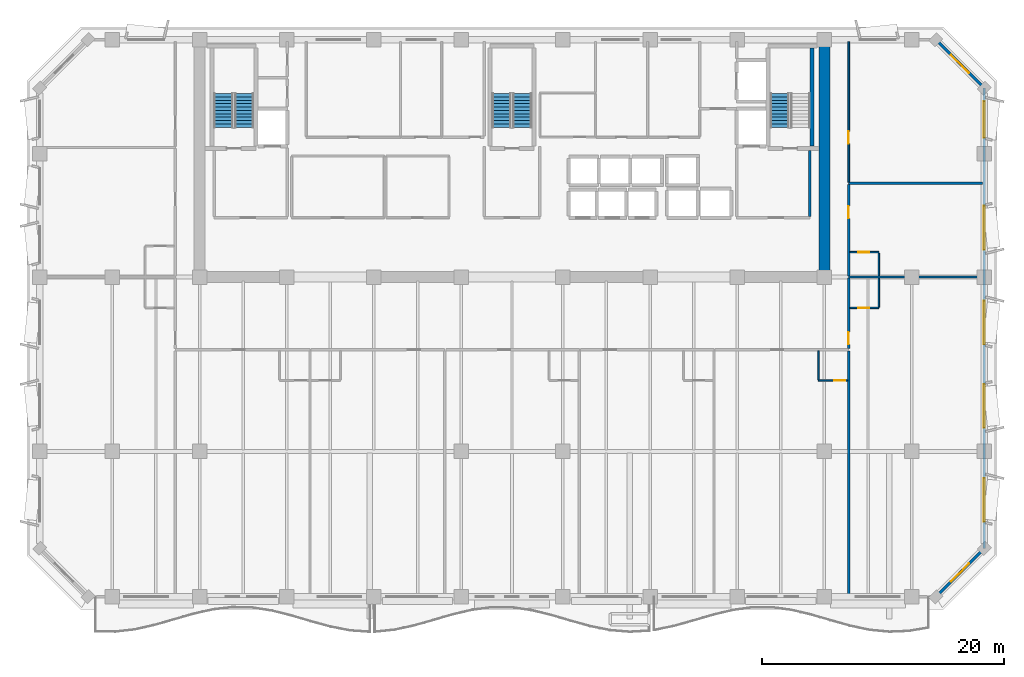
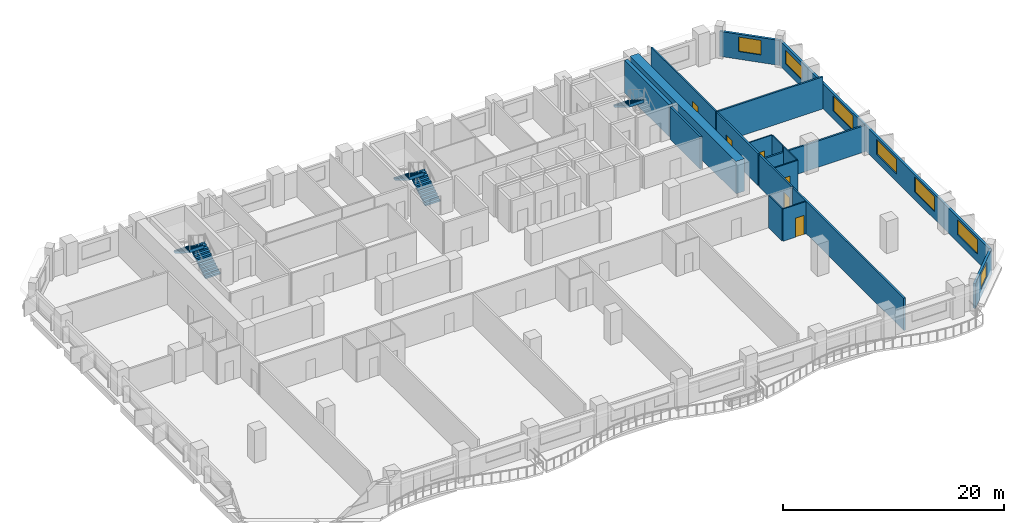
# One storey, part 8 of 14: 18 walls, 7 windows, 6 doors, 5 stair flights, 13 openings, 3 elements without a shape of their own.
"""IFC4 building model written with IfcOpenShell, lengths in metres."""

from ifc_helpers import new_model, si_unit, direction, frame, frame_2d, origin, place, context, subcontext, project, spatial, polyline, rectangle, outline, extrude, material, layer, layer_set, type_object, element, fill, aggregate, save


model = new_model("IFC4")

# Units and contexts
model_context = context("Model", 3, precision=1e-05, world=origin(), true_north=direction((0.0, 1.0)))
body_context = subcontext(model_context, "Body", "Model", "MODEL_VIEW")
ifc_project = project(units=[si_unit("LENGTHUNIT", "METRE"), si_unit("AREAUNIT", "SQUARE_METRE"), si_unit("VOLUMEUNIT", "CUBIC_METRE"), si_unit("PLANEANGLEUNIT", "RADIAN"), si_unit("MASSUNIT", "GRAM", prefix="KILO")], contexts=[model_context])

# Site, building, storey
site_placement = place(None, origin())
site = spatial("IfcSite", under=ifc_project, at=site_placement, CompositionType="ELEMENT")
building_placement = place(site_placement, origin())
building = spatial("IfcBuilding", under=site, at=building_placement, Name="Kaelvorn Grand Hotel", CompositionType="ELEMENT")
storey_placement = place(building_placement, frame((0.0, 0.0, 205.35009765625)))
storey = spatial("IfcBuildingStorey", under=building, at=storey_placement, Name="L50", CompositionType="ELEMENT", Elevation=205.35009765625)

# Wall
ifc_material_1 = material(Name="Concrete C60/75", Category="concrete")
ifc_layer_1 = layer(ifc_material_1, 0.89990234375)
ifc_layer_set_1 = layer_set([ifc_layer_1], Name="Concrete C60/75")
wall_type_1 = type_object("IfcWallType", Name="WL-CORE-900-C60", PredefinedType="SHEAR", material=ifc_layer_set_1)
wall_1_placement = place(storey_placement, frame((67.800048828125, 29.39990234375, 0.0), z_axis=(0.0, 0.0, 1.0), x_axis=(0.0, 1.0, 0.0)))
element("IfcWall", 1, at=wall_1_placement, inside=storey, type_object=wall_type_1, Name="L50 Rear-Core East Shear Wall", PredefinedType="SHEAR", context=body_context, shape_type="SweptSolid", body=[
    extrude(rectangle(XDim=19.2001953125, YDim=0.89990234375, at=frame_2d((9.60009765625, 0.0))), origin(), (0.0, 0.0, 1.0), 3.559814453125),
])

# Wall, opening, window
ifc_material_2 = material(Name="Concrete C40/50", Category="concrete")
ifc_layer_2 = layer(ifc_material_2, 0.239990234375)
ifc_layer_set_2 = layer_set([ifc_layer_2], Name="Concrete C40/50")
wall_type_2 = type_object("IfcWallType", Name="WL-EXT-240-C40", PredefinedType="SOLIDWALL", material=ifc_layer_set_2)
wall_2_placement = place(storey_placement, frame((77.0, 3.0, 0.0), z_axis=(0.0, 0.0, 1.0), x_axis=(0.707106781187, 0.707106781187, 0.0)))
wall_2 = element("IfcWall", 2, at=wall_2_placement, inside=storey, type_object=wall_type_2, Name="L50 Exterior Architectural Concrete Wall 02", PredefinedType="SOLIDWALL", context=body_context, shape_type="SweptSolid", body=[
    extrude(rectangle(XDim=5.65673828125, YDim=0.239990234375, at=frame_2d((2.828369140625, 0.0))), origin(), (0.0, 0.0, 1.0), 2.760009765625),
])
opening_1_placement = place(wall_2_placement, frame((1.7783203125, 0.0, 0.85009765625)))
opening_1 = element("IfcOpeningElement", 3, at=opening_1_placement, cuts=wall_2, Name="Opening W7", PredefinedType="OPENING", context=body_context, shape_type="SweptSolid", body=[
    extrude(rectangle(XDim=2.10009765625, YDim=1.60009765625, at=frame_2d((1.050048828125, 0.800048828125))), frame((0.0, 0.1298828125, 0.0), z_axis=(0.0, -1.0, 0.0), x_axis=(1.0, 0.0, 0.0)), (0.0, 0.0, 1.0), 0.260009765625),
])
ifc_material_3 = material(Name="Laminated Low-E Glass", Category="glass")
window_type_1 = type_object("IfcWindowType", Name="WIN-CHM-2100x1600", PartitioningType="SINGLE_PANEL", PredefinedType="WINDOW", material=ifc_material_3)
window_1_placement = place(opening_1_placement, origin())
window_1 = element("IfcWindow", 4, at=window_1_placement, inside=storey, type_object=window_type_1, Name="L50 Chamfered 45-Degree Corner Window SE", OverallHeight=1.60009765625, OverallWidth=2.10009765625, PartitioningType="SINGLE_PANEL", PredefinedType="WINDOW", context=body_context, shape_type="SweptSolid", body=[
    extrude(rectangle(XDim=2.10009765625, YDim=1.60009765625, at=frame_2d((1.050048828125, 0.800048828125))), frame((0.0, 0.030029296875, 0.0), z_axis=(0.0, -1.0, 0.0), x_axis=(1.0, 0.0, 0.0)), (0.0, 0.0, 1.0), 0.06005859375),
])
fill(opening_1, window_1)

# Wall, openings, windows
wall_3_placement = place(storey_placement, frame((81.0, 7.0, 0.0), z_axis=(0.0, 0.0, 1.0), x_axis=(0.0, 1.0, 0.0)))
wall_3 = element("IfcWall", 5, at=wall_3_placement, inside=storey, type_object=wall_type_2, Name="L50 Exterior Architectural Concrete Wall 03", PredefinedType="SOLIDWALL", context=body_context, shape_type="SweptSolid", body=[
    extrude(rectangle(XDim=38.0, YDim=0.239990234375, at=frame_2d((19.0, 0.0))), origin(), (0.0, 0.0, 1.0), 2.760009765625),
])
opening_2_placement = place(wall_3_placement, frame((2.199951171875, 0.0, 0.85009765625)))
opening_2 = element("IfcOpeningElement", 6, at=opening_2_placement, cuts=wall_3, Name="Opening W3", PredefinedType="OPENING", context=body_context, shape_type="SweptSolid", body=[
    extrude(rectangle(XDim=3.60009765625, YDim=1.64990234375, at=frame_2d((1.800048828125, 0.824951171875))), frame((0.0, 0.1298828125, 0.0), z_axis=(0.0, -1.0, 0.0), x_axis=(1.0, 0.0, 0.0)), (0.0, 0.0, 1.0), 0.260009765625),
])
opening_3_placement = place(wall_3_placement, frame((9.965087890625, 0.0, 0.85009765625)))
opening_3 = element("IfcOpeningElement", 7, at=opening_3_placement, cuts=wall_3, Name="Opening W3", PredefinedType="OPENING", context=body_context, shape_type="SweptSolid", body=[
    extrude(rectangle(XDim=3.60009765625, YDim=1.64990234375, at=frame_2d((1.800048828125, 0.824951171875))), frame((0.0, 0.1298828125, 0.0), z_axis=(0.0, -1.0, 0.0), x_axis=(1.0, 0.0, 0.0)), (0.0, 0.0, 1.0), 0.260009765625),
])
opening_4_placement = place(wall_3_placement, frame((16.8349609375, 0.0, 0.85009765625)))
opening_4 = element("IfcOpeningElement", 8, at=opening_4_placement, cuts=wall_3, Name="Opening W3", PredefinedType="OPENING", context=body_context, shape_type="SweptSolid", body=[
    extrude(rectangle(XDim=3.60009765625, YDim=1.64990234375, at=frame_2d((1.800048828125, 0.824951171875))), frame((0.0, 0.1298828125, 0.0), z_axis=(0.0, -1.0, 0.0), x_axis=(1.0, 0.0, 0.0)), (0.0, 0.0, 1.0), 0.260009765625),
])
opening_5_placement = place(wall_3_placement, frame((24.675048828125, 0.0, 0.85009765625)))
opening_5 = element("IfcOpeningElement", 9, at=opening_5_placement, cuts=wall_3, Name="Opening W3", PredefinedType="OPENING", context=body_context, shape_type="SweptSolid", body=[
    extrude(rectangle(XDim=3.60009765625, YDim=1.64990234375, at=frame_2d((1.800048828125, 0.824951171875))), frame((0.0, 0.1298828125, 0.0), z_axis=(0.0, -1.0, 0.0), x_axis=(1.0, 0.0, 0.0)), (0.0, 0.0, 1.0), 0.260009765625),
])
opening_6_placement = place(wall_3_placement, frame((33.9150390625, 0.0, 0.85009765625)))
opening_6 = element("IfcOpeningElement", 10, at=opening_6_placement, cuts=wall_3, Name="Opening W5", PredefinedType="OPENING", context=body_context, shape_type="SweptSolid", body=[
    extrude(rectangle(XDim=3.0, YDim=1.5, at=frame_2d((1.5, 0.75))), frame((0.0, 0.1298828125, 0.0), z_axis=(0.0, -1.0, 0.0), x_axis=(1.0, 0.0, 0.0)), (0.0, 0.0, 1.0), 0.260009765625),
])
window_type_2 = type_object("IfcWindowType", Name="WIN-NTH-3000x1500", PartitioningType="SINGLE_PANEL", PredefinedType="WINDOW", material=ifc_material_3)
window_2_placement = place(opening_6_placement, origin())
window_2 = element("IfcWindow", 11, at=window_2_placement, inside=storey, type_object=window_type_2, Name="L50 E Wing Tilted-Frame Ribbon Window E05", OverallHeight=1.5, OverallWidth=3.0, PartitioningType="SINGLE_PANEL", PredefinedType="WINDOW", context=body_context, shape_type="SweptSolid", body=[
    extrude(rectangle(XDim=3.0, YDim=1.5, at=frame_2d((1.5, 0.75))), frame((0.0, 0.030029296875, 0.0), z_axis=(0.0, -1.0, 0.0), x_axis=(1.0, 0.0, 0.0)), (0.0, 0.0, 1.0), 0.06005859375),
])
fill(opening_6, window_2)
window_type_3 = type_object("IfcWindowType", Name="WIN-RIB-3600x1750", PartitioningType="SINGLE_PANEL", PredefinedType="WINDOW", material=ifc_material_3)
window_3_placement = place(opening_2_placement, origin())
window_3 = element("IfcWindow", 12, at=window_3_placement, inside=storey, type_object=window_type_3, Name="L50 E Wing Tilted-Frame Ribbon Window E01", OverallHeight=1.64990234375, OverallWidth=3.60009765625, PartitioningType="SINGLE_PANEL", PredefinedType="WINDOW", context=body_context, shape_type="SweptSolid", body=[
    extrude(rectangle(XDim=3.60009765625, YDim=1.64990234375, at=frame_2d((1.800048828125, 0.824951171875))), frame((0.0, 0.030029296875, 0.0), z_axis=(0.0, -1.0, 0.0), x_axis=(1.0, 0.0, 0.0)), (0.0, 0.0, 1.0), 0.06005859375),
])
fill(opening_2, window_3)
window_4_placement = place(opening_3_placement, origin())
window_4 = element("IfcWindow", 13, at=window_4_placement, inside=storey, type_object=window_type_3, Name="L50 E Wing Tilted-Frame Ribbon Window E02", OverallHeight=1.64990234375, OverallWidth=3.60009765625, PartitioningType="SINGLE_PANEL", PredefinedType="WINDOW", context=body_context, shape_type="SweptSolid", body=[
    extrude(rectangle(XDim=3.60009765625, YDim=1.64990234375, at=frame_2d((1.800048828125, 0.824951171875))), frame((0.0, 0.030029296875, 0.0), z_axis=(0.0, -1.0, 0.0), x_axis=(1.0, 0.0, 0.0)), (0.0, 0.0, 1.0), 0.06005859375),
])
fill(opening_3, window_4)
window_5_placement = place(opening_4_placement, origin())
window_5 = element("IfcWindow", 14, at=window_5_placement, inside=storey, type_object=window_type_3, Name="L50 E Wing Tilted-Frame Ribbon Window E03", OverallHeight=1.64990234375, OverallWidth=3.60009765625, PartitioningType="SINGLE_PANEL", PredefinedType="WINDOW", context=body_context, shape_type="SweptSolid", body=[
    extrude(rectangle(XDim=3.60009765625, YDim=1.64990234375, at=frame_2d((1.800048828125, 0.824951171875))), frame((0.0, 0.030029296875, 0.0), z_axis=(0.0, -1.0, 0.0), x_axis=(1.0, 0.0, 0.0)), (0.0, 0.0, 1.0), 0.06005859375),
])
fill(opening_4, window_5)
window_6_placement = place(opening_5_placement, origin())
window_6 = element("IfcWindow", 15, at=window_6_placement, inside=storey, type_object=window_type_3, Name="L50 E Wing Tilted-Frame Ribbon Window E04", OverallHeight=1.64990234375, OverallWidth=3.60009765625, PartitioningType="SINGLE_PANEL", PredefinedType="WINDOW", context=body_context, shape_type="SweptSolid", body=[
    extrude(rectangle(XDim=3.60009765625, YDim=1.64990234375, at=frame_2d((1.800048828125, 0.824951171875))), frame((0.0, 0.030029296875, 0.0), z_axis=(0.0, -1.0, 0.0), x_axis=(1.0, 0.0, 0.0)), (0.0, 0.0, 1.0), 0.06005859375),
])
fill(opening_5, window_6)

# Wall, opening, window
wall_4_placement = place(storey_placement, frame((81.0, 45.0, 0.0), z_axis=(0.0, 0.0, 1.0), x_axis=(-0.707106781187, 0.707106781187, 0.0)))
wall_4 = element("IfcWall", 16, at=wall_4_placement, inside=storey, type_object=wall_type_2, Name="L50 Exterior Architectural Concrete Wall 04", PredefinedType="SOLIDWALL", context=body_context, shape_type="SweptSolid", body=[
    extrude(rectangle(XDim=5.65673828125, YDim=0.239990234375, at=frame_2d((2.828369140625, 0.0))), origin(), (0.0, 0.0, 1.0), 2.760009765625),
])
opening_7_placement = place(wall_4_placement, frame((1.7783203125, 0.0, 0.85009765625)))
opening_7 = element("IfcOpeningElement", 17, at=opening_7_placement, cuts=wall_4, Name="Opening W7", PredefinedType="OPENING", context=body_context, shape_type="SweptSolid", body=[
    extrude(rectangle(XDim=2.10009765625, YDim=1.60009765625, at=frame_2d((1.050048828125, 0.800048828125))), frame((0.0, 0.1298828125, 0.0), z_axis=(0.0, -1.0, 0.0), x_axis=(1.0, 0.0, 0.0)), (0.0, 0.0, 1.0), 0.260009765625),
])
window_7_placement = place(opening_7_placement, origin())
window_7 = element("IfcWindow", 18, at=window_7_placement, inside=storey, type_object=window_type_1, Name="L50 Chamfered 45-Degree Corner Window NE", OverallHeight=1.60009765625, OverallWidth=2.10009765625, PartitioningType="SINGLE_PANEL", PredefinedType="WINDOW", context=body_context, shape_type="SweptSolid", body=[
    extrude(rectangle(XDim=2.10009765625, YDim=1.60009765625, at=frame_2d((1.050048828125, 0.800048828125))), frame((0.0, 0.030029296875, 0.0), z_axis=(0.0, -1.0, 0.0), x_axis=(1.0, 0.0, 0.0)), (0.0, 0.0, 1.0), 0.06005859375),
])
fill(opening_7, window_7)

# Wall, opening, door
ifc_material_4 = material(Name="Moisture-Resistant Tile & Stud Board")
ifc_layer_3 = layer(ifc_material_4, 0.125)
ifc_layer_set_3 = layer_set([ifc_layer_3], Name="Moisture-Resistant Tile & Stud Board")
wall_type_3 = type_object("IfcWallType", Name="WL-PART-125-WET", PredefinedType="PARTITIONING", material=ifc_layer_set_3)
wall_5_placement = place(storey_placement, frame((67.300048828125, 20.85009765625, 0.0), z_axis=(0.0, 0.0, 1.0), x_axis=(1.0, 0.0, 0.0)))
wall_5 = element("IfcWall", 19, at=wall_5_placement, inside=storey, type_object=wall_type_3, Name="L50 En-suite Bathroom L50-05 S Partition", PredefinedType="PARTITIONING", context=body_context, shape_type="SweptSolid", body=[
    extrude(rectangle(XDim=2.405029296875, YDim=0.125, at=frame_2d((1.20263671875, 0.0))), origin(), (0.0, 0.0, 1.0), 3.559814453125),
])
opening_8_placement = place(wall_5_placement, frame((1.300048828125, 0.0, 0.0)))
opening_8 = element("IfcOpeningElement", 20, at=opening_8_placement, cuts=wall_5, Name="Opening DI4", PredefinedType="OPENING", context=body_context, shape_type="SweptSolid", body=[
    extrude(rectangle(XDim=0.89990234375, YDim=2.10009765625, at=frame_2d((0.449951171875, 1.050048828125))), frame((0.0, 0.072509765625, 0.0), z_axis=(0.0, -1.0, 0.0), x_axis=(1.0, 0.0, 0.0)), (0.0, 0.0, 1.0), 0.14501953125),
])
ifc_material_5 = material(Name="Timber Veneer Leaf", Category="wood")
door_type_1 = type_object("IfcDoorType", Name="DR-INT-BATH-900x2100", OperationType="NOTDEFINED", PredefinedType="DOOR", material=ifc_material_5)
door_1_placement = place(opening_8_placement, origin())
door_1 = element("IfcDoor", 21, at=door_1_placement, inside=storey, type_object=door_type_1, Name="L50 En-suite Bathroom L50-05 Door", OperationType="SINGLE_SWING_RIGHT", OverallHeight=2.10009765625, OverallWidth=0.89990234375, PredefinedType="DOOR", context=body_context, shape_type="SweptSolid", body=[
    extrude(rectangle(XDim=0.89990234375, YDim=2.10009765625, at=frame_2d((0.449951171875, 1.050048828125))), frame((0.0, 0.02490234375, 0.0), z_axis=(0.0, -1.0, 0.0), x_axis=(1.0, 0.0, 0.0)), (0.0, 0.0, 1.0), 0.050048828125),
])
fill(opening_8, door_1)

# Wall
wall_6_placement = place(storey_placement, frame((67.300048828125, 20.91748046875, 0.0), z_axis=(0.0, 0.0, 1.0), x_axis=(0.0, 1.0, 0.0)))
element("IfcWall", 22, at=wall_6_placement, inside=storey, type_object=wall_type_3, Name="L50 En-suite Bathroom L50-05 W Partition", PredefinedType="PARTITIONING", context=body_context, shape_type="SweptSolid", body=[
    extrude(rectangle(XDim=2.387451171875, YDim=0.125, at=frame_2d((1.19384765625, 0.0))), origin(), (0.0, 0.0, 1.0), 3.559814453125),
])

# Wall, opening, door
wall_7_placement = place(storey_placement, frame((69.89501953125, 26.85009765625, 0.0), z_axis=(0.0, 0.0, 1.0), x_axis=(1.0, 0.0, 0.0)))
wall_7 = element("IfcWall", 23, at=wall_7_placement, inside=storey, type_object=wall_type_3, Name="L50 En-suite Bathroom L50-07 S Partition", PredefinedType="PARTITIONING", context=body_context, shape_type="SweptSolid", body=[
    extrude(rectangle(XDim=2.405029296875, YDim=0.125, at=frame_2d((1.20263671875, 0.0))), origin(), (0.0, 0.0, 1.0), 3.559814453125),
])
opening_9_placement = place(wall_7_placement, frame((0.705078125, 0.0, 0.0)))
opening_9 = element("IfcOpeningElement", 24, at=opening_9_placement, cuts=wall_7, Name="Opening DI4", PredefinedType="OPENING", context=body_context, shape_type="SweptSolid", body=[
    extrude(rectangle(XDim=0.89990234375, YDim=2.10009765625, at=frame_2d((0.449951171875, 1.050048828125))), frame((0.0, 0.072509765625, 0.0), z_axis=(0.0, -1.0, 0.0), x_axis=(1.0, 0.0, 0.0)), (0.0, 0.0, 1.0), 0.14501953125),
])
door_2_placement = place(opening_9_placement, origin())
door_2 = element("IfcDoor", 25, at=door_2_placement, inside=storey, type_object=door_type_1, Name="L50 En-suite Bathroom L50-07 Door", OperationType="SINGLE_SWING_RIGHT", OverallHeight=2.10009765625, OverallWidth=0.89990234375, PredefinedType="DOOR", context=body_context, shape_type="SweptSolid", body=[
    extrude(rectangle(XDim=0.89990234375, YDim=2.10009765625, at=frame_2d((0.449951171875, 1.050048828125))), frame((0.0, 0.02490234375, 0.0), z_axis=(0.0, -1.0, 0.0), x_axis=(1.0, 0.0, 0.0)), (0.0, 0.0, 1.0), 0.050048828125),
])
fill(opening_9, door_2)

# Wall
wall_8_placement = place(storey_placement, frame((72.300048828125, 26.91748046875, 0.0), z_axis=(0.0, 0.0, 1.0), x_axis=(0.0, 1.0, 0.0)))
element("IfcWall", 26, at=wall_8_placement, inside=storey, type_object=wall_type_3, Name="L50 En-suite Bathroom L50-07 E Partition", PredefinedType="PARTITIONING", context=body_context, shape_type="SweptSolid", body=[
    extrude(rectangle(XDim=2.387451171875, YDim=0.125, at=frame_2d((1.19384765625, 0.0))), origin(), (0.0, 0.0, 1.0), 3.559814453125),
])

# Wall, opening, door
wall_9_placement = place(storey_placement, frame((69.89501953125, 31.449951171875, 0.0), z_axis=(0.0, 0.0, 1.0), x_axis=(1.0, 0.0, 0.0)))
wall_9 = element("IfcWall", 27, at=wall_9_placement, inside=storey, type_object=wall_type_3, Name="L50 En-suite Bathroom L50-09 N Partition", PredefinedType="PARTITIONING", context=body_context, shape_type="SweptSolid", body=[
    extrude(rectangle(XDim=2.405029296875, YDim=0.125, at=frame_2d((1.20263671875, 0.0))), origin(), (0.0, 0.0, 1.0), 3.559814453125),
])
opening_10_placement = place(wall_9_placement, frame((0.705078125, 0.0, 0.0)))
opening_10 = element("IfcOpeningElement", 28, at=opening_10_placement, cuts=wall_9, Name="Opening DI4", PredefinedType="OPENING", context=body_context, shape_type="SweptSolid", body=[
    extrude(rectangle(XDim=0.89990234375, YDim=2.10009765625, at=frame_2d((0.449951171875, 1.050048828125))), frame((0.0, 0.072509765625, 0.0), z_axis=(0.0, -1.0, 0.0), x_axis=(1.0, 0.0, 0.0)), (0.0, 0.0, 1.0), 0.14501953125),
])
door_3_placement = place(opening_10_placement, origin())
door_3 = element("IfcDoor", 29, at=door_3_placement, inside=storey, type_object=door_type_1, Name="L50 En-suite Bathroom L50-09 Door", OperationType="SINGLE_SWING_LEFT", OverallHeight=2.10009765625, OverallWidth=0.89990234375, PredefinedType="DOOR", context=body_context, shape_type="SweptSolid", body=[
    extrude(rectangle(XDim=0.89990234375, YDim=2.10009765625, at=frame_2d((0.449951171875, 1.050048828125))), frame((0.0, 0.02490234375, 0.0), z_axis=(0.0, -1.0, 0.0), x_axis=(1.0, 0.0, 0.0)), (0.0, 0.0, 1.0), 0.050048828125),
])
fill(opening_10, door_3)

# Wall
wall_10_placement = place(storey_placement, frame((72.300048828125, 29.4951171875, 0.0), z_axis=(0.0, 0.0, 1.0), x_axis=(0.0, 1.0, 0.0)))
element("IfcWall", 30, at=wall_10_placement, inside=storey, type_object=wall_type_3, Name="L50 En-suite Bathroom L50-09 E Partition", PredefinedType="PARTITIONING", context=body_context, shape_type="SweptSolid", body=[
    extrude(rectangle(XDim=1.887451171875, YDim=0.125, at=frame_2d((0.94384765625, 0.0))), origin(), (0.0, 0.0, 1.0), 3.559814453125),
])

# Wall, opening, door
ifc_material_6 = material(Name="Acoustic Gypsum & Stud Partition")
ifc_layer_4 = layer(ifc_material_6, 0.14990234375)
ifc_layer_set_4 = layer_set([ifc_layer_4], Name="Acoustic Gypsum & Stud Partition")
wall_type_4 = type_object("IfcWallType", Name="WL-PART-150-EI60", PredefinedType="PARTITIONING", material=ifc_layer_set_4)
wall_11_placement = place(storey_placement, frame((69.800048828125, 37.2451171875, 0.0), z_axis=(0.0, 0.0, 1.0), x_axis=(0.0, 1.0, 0.0)))
wall_11 = element("IfcWall", 31, at=wall_11_placement, inside=storey, type_object=wall_type_4, Name="L50 North-East Summit Conference Room W Partition", PredefinedType="PARTITIONING", context=body_context, shape_type="SweptSolid", body=[
    extrude(rectangle(XDim=11.60498046875, YDim=0.14990234375, at=frame_2d((5.802490234375, 0.0))), origin(), (0.0, 0.0, 1.0), 3.559814453125),
])
opening_11_placement = place(wall_11_placement, frame((3.175048828125, 0.0, 0.0)))
opening_11 = element("IfcOpeningElement", 32, at=opening_11_placement, cuts=wall_11, Name="Opening DI3", PredefinedType="OPENING", context=body_context, shape_type="SweptSolid", body=[
    extrude(rectangle(XDim=1.0, YDim=2.14990234375, at=frame_2d((0.5, 1.074951171875))), frame((0.0, 0.0849609375, 0.0), z_axis=(0.0, -1.0, 0.0), x_axis=(1.0, 0.0, 0.0)), (0.0, 0.0, 1.0), 0.169921875),
])
ifc_material_7 = material(Name="Timber Veneer Fire Leaf", Category="wood")
door_type_2 = type_object("IfcDoorType", Name="DR-INT-GUEST-1000x2150", OperationType="NOTDEFINED", PredefinedType="DOOR", material=ifc_material_7)
door_4_placement = place(opening_11_placement, origin())
door_4 = element("IfcDoor", 33, at=door_4_placement, inside=storey, type_object=door_type_2, Name="L50 North-East Summit Conference Room Door", OperationType="SINGLE_SWING_RIGHT", OverallHeight=2.14990234375, OverallWidth=1.0, PredefinedType="DOOR", context=body_context, shape_type="SweptSolid", body=[
    extrude(rectangle(XDim=1.0, YDim=2.14990234375, at=frame_2d((0.5, 1.074951171875))), frame((0.0, 0.02490234375, 0.0), z_axis=(0.0, -1.0, 0.0), x_axis=(1.0, 0.0, 0.0)), (0.0, 0.0, 1.0), 0.050048828125),
])
fill(opening_11, door_4)

# Walls
ifc_layer_5 = layer(ifc_material_6, 0.179931640625)
ifc_layer_set_5 = layer_set([ifc_layer_5], Name="Acoustic Gypsum & Stud Partition")
wall_type_5 = type_object("IfcWallType", Name="WL-PART-180-EI60", PredefinedType="PARTITIONING", material=ifc_layer_set_5)
wall_12_placement = place(storey_placement, frame((69.800048828125, 3.14990234375, 0.0), z_axis=(0.0, 0.0, 1.0), x_axis=(0.0, 1.0, 0.0)))
element("IfcWall", 34, at=wall_12_placement, inside=storey, type_object=wall_type_5, Name="L50 Mid-Rise Signature Suite L50-05 E Partition", PredefinedType="PARTITIONING", context=body_context, shape_type="SweptSolid", body=[
    extrude(rectangle(XDim=20.155029296875, YDim=0.179931640625, at=frame_2d((10.07763671875, 0.0))), origin(), (0.0, 0.0, 1.0), 3.559814453125),
])
wall_13_placement = place(storey_placement, frame((69.800048828125, 29.39990234375, 0.0), z_axis=(0.0, 0.0, 1.0), x_axis=(1.0, 0.0, 0.0)))
element("IfcWall", 35, at=wall_13_placement, inside=storey, type_object=wall_type_5, Name="L50 Presidential Sky Suite L50-07 N Partition", PredefinedType="PARTITIONING", context=body_context, shape_type="SweptSolid", body=[
    extrude(rectangle(XDim=11.050048828125, YDim=0.179931640625, at=frame_2d((5.52490234375, 0.0))), origin(), (0.0, 0.0, 1.0), 2.909912109375),
])

# Wall, opening, door
wall_14_placement = place(storey_placement, frame((69.800048828125, 23.4951171875, 0.0), z_axis=(0.0, 0.0, 1.0), x_axis=(0.0, 1.0, 0.0)))
wall_14 = element("IfcWall", 36, at=wall_14_placement, inside=storey, type_object=wall_type_5, Name="L50 Presidential Sky Suite L50-07 W Partition", PredefinedType="PARTITIONING", context=body_context, shape_type="SweptSolid", body=[
    extrude(rectangle(XDim=5.809814453125, YDim=0.179931640625, at=frame_2d((2.90478515625, 0.0))), origin(), (0.0, 0.0, 1.0), 3.559814453125),
])
opening_12_placement = place(wall_14_placement, frame((0.35498046875, 0.0, 0.0)))
opening_12 = element("IfcOpeningElement", 37, at=opening_12_placement, cuts=wall_14, Name="Opening DI3", PredefinedType="OPENING", context=body_context, shape_type="SweptSolid", body=[
    extrude(rectangle(XDim=1.0, YDim=2.14990234375, at=frame_2d((0.5, 1.074951171875))), frame((0.0, 0.10009765625, 0.0), z_axis=(0.0, -1.0, 0.0), x_axis=(1.0, 0.0, 0.0)), (0.0, 0.0, 1.0), 0.199951171875),
])
door_5_placement = place(opening_12_placement, origin())
door_5 = element("IfcDoor", 38, at=door_5_placement, inside=storey, type_object=door_type_2, Name="L50 Presidential Sky Suite L50-07 Door", OperationType="SINGLE_SWING_LEFT", OverallHeight=2.14990234375, OverallWidth=1.0, PredefinedType="DOOR", context=body_context, shape_type="SweptSolid", body=[
    extrude(rectangle(XDim=1.0, YDim=2.14990234375, at=frame_2d((0.5, 1.074951171875))), frame((0.0, 0.02490234375, 0.0), z_axis=(0.0, -1.0, 0.0), x_axis=(1.0, 0.0, 0.0)), (0.0, 0.0, 1.0), 0.050048828125),
])
fill(opening_12, door_5)

# Wall
wall_15_placement = place(storey_placement, frame((69.800048828125, 37.14990234375, 0.0), z_axis=(0.0, 0.0, 1.0), x_axis=(1.0, 0.0, 0.0)))
element("IfcWall", 39, at=wall_15_placement, inside=storey, type_object=wall_type_5, Name="L50 North-East Wing Suite L50-09 N Partition", PredefinedType="PARTITIONING", context=body_context, shape_type="SweptSolid", body=[
    extrude(rectangle(XDim=11.050048828125, YDim=0.179931640625, at=frame_2d((5.52490234375, 0.0))), origin(), (0.0, 0.0, 1.0), 3.559814453125),
])

# Wall, opening, door
wall_16_placement = place(storey_placement, frame((69.800048828125, 29.4951171875, 0.0), z_axis=(0.0, 0.0, 1.0), x_axis=(0.0, 1.0, 0.0)))
wall_16 = element("IfcWall", 40, at=wall_16_placement, inside=storey, type_object=wall_type_5, Name="L50 North-East Wing Suite L50-09 W Partition", PredefinedType="PARTITIONING", context=body_context, shape_type="SweptSolid", body=[
    extrude(rectangle(XDim=7.559814453125, YDim=0.179931640625, at=frame_2d((3.77978515625, 0.0))), origin(), (0.0, 0.0, 1.0), 3.559814453125),
])
opening_13_placement = place(wall_16_placement, frame((4.7548828125, 0.0, 0.0)))
opening_13 = element("IfcOpeningElement", 41, at=opening_13_placement, cuts=wall_16, Name="Opening DI3", PredefinedType="OPENING", context=body_context, shape_type="SweptSolid", body=[
    extrude(rectangle(XDim=1.0, YDim=2.14990234375, at=frame_2d((0.5, 1.074951171875))), frame((0.0, 0.10009765625, 0.0), z_axis=(0.0, -1.0, 0.0), x_axis=(1.0, 0.0, 0.0)), (0.0, 0.0, 1.0), 0.199951171875),
])
door_6_placement = place(opening_13_placement, origin())
door_6 = element("IfcDoor", 42, at=door_6_placement, inside=storey, type_object=door_type_2, Name="L50 North-East Wing Suite L50-09 Door", OperationType="SINGLE_SWING_RIGHT", OverallHeight=2.14990234375, OverallWidth=1.0, PredefinedType="DOOR", context=body_context, shape_type="SweptSolid", body=[
    extrude(rectangle(XDim=1.0, YDim=2.14990234375, at=frame_2d((0.5, 1.074951171875))), frame((0.0, 0.02490234375, 0.0), z_axis=(0.0, -1.0, 0.0), x_axis=(1.0, 0.0, 0.0)), (0.0, 0.0, 1.0), 0.050048828125),
])
fill(opening_13, door_6)

# Walls
ifc_layer_6 = layer(ifc_material_2, 0.219970703125)
ifc_layer_set_6 = layer_set([ifc_layer_6], Name="Concrete C40/50")
wall_type_6 = type_object("IfcWallType", Name="WL-PART-220-EI120", PredefinedType="PARTITIONING", material=ifc_layer_set_6)
wall_17_placement = place(storey_placement, frame((66.60009765625, 34.4150390625, 0.0), z_axis=(0.0, 0.0, 1.0), x_axis=(0.0, 1.0, 0.0)))
element("IfcWall", 43, at=wall_17_placement, inside=storey, type_object=wall_type_6, Name="L50 Firefighting Lift Lobby 2 E Partition", PredefinedType="PARTITIONING", context=body_context, shape_type="SweptSolid", body=[
    extrude(rectangle(XDim=5.429931640625, YDim=0.219970703125, at=frame_2d((2.71484375, 0.0))), origin(), (0.0, 0.0, 1.0), 3.559814453125),
])
ifc_layer_7 = layer(ifc_material_1, 0.35009765625)
ifc_layer_set_7 = layer_set([ifc_layer_7], Name="Concrete C60/75")
wall_type_7 = type_object("IfcWallType", Name="WL-SHAFT-350-C60", PredefinedType="SHEAR", material=ifc_layer_set_7)
wall_18_placement = place(storey_placement, frame((66.77490234375, 40.205078125, 0.0), z_axis=(0.0, 0.0, 1.0), x_axis=(0.0, 1.0, 0.0)))
element("IfcWall", 44, at=wall_18_placement, inside=storey, type_object=wall_type_7, Name="L50 ST3 Stair Shaft East Wall", PredefinedType="SHEAR", context=body_context, shape_type="SweptSolid", body=[
    extrude(rectangle(XDim=8.08984375, YDim=0.35009765625, at=frame_2d((4.044921875, 0.0))), origin(), (0.0, 0.0, 1.0), 3.559814453125),
])

# Stair, stair flights
stair_type = type_object("IfcStairType", Name="STR-DOG-1560-R08", PredefinedType="HALF_TURN_STAIR", material=ifc_material_2)
stair_1_placement = place(storey_placement, origin())
stair_1 = element("IfcStair", 45, at=stair_1_placement, inside=storey, type_object=stair_type, Name="L50 West Core Exit Stair ST1", PredefinedType="HALF_TURN_STAIR")
stair_flight_type = type_object("IfcStairFlightType", Name="FLG-DOG-1560-R08", PredefinedType="STRAIGHT", material=ifc_material_2)
stair_flight_1_placement = place(storey_placement, frame((19.89990234375, 41.760009765625, 0.0), z_axis=(0.0, 0.0, 1.0), x_axis=(0.0, 1.0, 0.0)))
stair_flight_1 = element("IfcStairFlight", 46, at=stair_flight_1_placement, type_object=stair_flight_type, Name="ST1 flight 1", NumberOfRisers=11, NumberOfTreads=10, PredefinedType="STRAIGHT", RiserHeight=0.172727273, TreadLength=0.28, context=body_context, shape_type="SweptSolid", body=[
    extrude(outline(polyline([(-0.0048828125, 0.0), (-0.0048828125, 0.0400390625), (0.0, 0.172607421875), (0.280029296875, 0.172607421875), (0.280029296875, 0.345458984375), (0.56005859375, 0.345458984375), (0.56005859375, 0.51806640625), (0.840087890625, 0.51806640625), (0.840087890625, 0.69091796875), (1.1201171875, 0.69091796875), (1.1201171875, 0.863525390625), (1.39990234375, 0.863525390625), (1.39990234375, 1.036376953125), (1.679931640625, 1.036376953125), (1.679931640625, 1.208984375), (1.9599609375, 1.208984375), (1.9599609375, 1.3818359375), (2.239990234375, 1.3818359375), (2.239990234375, 1.554443359375), (2.52001953125, 1.554443359375), (2.52001953125, 1.727294921875), (2.800048828125, 1.727294921875), (2.800048828125, 1.89990234375), (2.804931640625, 1.89990234375), (2.804931640625, 1.551025390625), (0.285400390625, 0.0), (-0.0048828125, 0.0)])), frame((0.0, 0.780029296875, 0.0), z_axis=(0.0, -1.0, 0.0), x_axis=(1.0, 0.0, 0.0)), (0.0, 0.0, 1.0), 1.56005859375),
])
stair_flight_2_placement = place(storey_placement, frame((18.179931640625, 44.56005859375, 1.89990234375), z_axis=(0.0, 0.0, 1.0), x_axis=(0.0, -1.0, 0.0)))
stair_flight_2 = element("IfcStairFlight", 47, at=stair_flight_2_placement, type_object=stair_flight_type, Name="ST1 flight 2", NumberOfRisers=11, NumberOfTreads=10, PredefinedType="STRAIGHT", RiserHeight=0.172727273, TreadLength=0.28, context=body_context, shape_type="SweptSolid", body=[
    extrude(outline(polyline([(-0.0048828125, 0.0), (-0.0048828125, 0.0400390625), (0.0, 0.172607421875), (0.280029296875, 0.172607421875), (0.280029296875, 0.345458984375), (0.56005859375, 0.345458984375), (0.56005859375, 0.51806640625), (0.840087890625, 0.51806640625), (0.840087890625, 0.69091796875), (1.1201171875, 0.69091796875), (1.1201171875, 0.863525390625), (1.39990234375, 0.863525390625), (1.39990234375, 1.036376953125), (1.679931640625, 1.036376953125), (1.679931640625, 1.208984375), (1.9599609375, 1.208984375), (1.9599609375, 1.3818359375), (2.239990234375, 1.3818359375), (2.239990234375, 1.554443359375), (2.52001953125, 1.554443359375), (2.52001953125, 1.727294921875), (2.800048828125, 1.727294921875), (2.800048828125, 1.89990234375), (2.804931640625, 1.89990234375), (2.804931640625, 1.551025390625), (0.285400390625, 0.0), (-0.0048828125, 0.0)])), frame((0.0, 0.780029296875, 0.0), z_axis=(0.0, -1.0, 0.0), x_axis=(1.0, 0.0, 0.0)), (0.0, 0.0, 1.0), 1.56005859375),
])
aggregate(stair_1, [stair_flight_1, stair_flight_2])

stair_2_placement = place(storey_placement, origin())
stair_2 = element("IfcStair", 48, at=stair_2_placement, inside=storey, type_object=stair_type, Name="L50 Central Core Exit Stair ST2", PredefinedType="HALF_TURN_STAIR")
stair_flight_3_placement = place(storey_placement, frame((42.860107421875, 41.760009765625, 0.0), z_axis=(0.0, 0.0, 1.0), x_axis=(0.0, 1.0, 0.0)))
stair_flight_3 = element("IfcStairFlight", 49, at=stair_flight_3_placement, type_object=stair_flight_type, Name="ST2 flight 1", NumberOfRisers=11, NumberOfTreads=10, PredefinedType="STRAIGHT", RiserHeight=0.172727273, TreadLength=0.28, context=body_context, shape_type="SweptSolid", body=[
    extrude(outline(polyline([(-0.0048828125, 0.0), (-0.0048828125, 0.0400390625), (0.0, 0.172607421875), (0.280029296875, 0.172607421875), (0.280029296875, 0.345458984375), (0.56005859375, 0.345458984375), (0.56005859375, 0.51806640625), (0.840087890625, 0.51806640625), (0.840087890625, 0.69091796875), (1.1201171875, 0.69091796875), (1.1201171875, 0.863525390625), (1.39990234375, 0.863525390625), (1.39990234375, 1.036376953125), (1.679931640625, 1.036376953125), (1.679931640625, 1.208984375), (1.9599609375, 1.208984375), (1.9599609375, 1.3818359375), (2.239990234375, 1.3818359375), (2.239990234375, 1.554443359375), (2.52001953125, 1.554443359375), (2.52001953125, 1.727294921875), (2.800048828125, 1.727294921875), (2.800048828125, 1.89990234375), (2.804931640625, 1.89990234375), (2.804931640625, 1.551025390625), (0.285400390625, 0.0), (-0.0048828125, 0.0)])), frame((0.0, 0.780029296875, 0.0), z_axis=(0.0, -1.0, 0.0), x_axis=(1.0, 0.0, 0.0)), (0.0, 0.0, 1.0), 1.56005859375),
])
stair_flight_4_placement = place(storey_placement, frame((41.139892578125, 44.56005859375, 1.89990234375), z_axis=(0.0, 0.0, 1.0), x_axis=(0.0, -1.0, 0.0)))
stair_flight_4 = element("IfcStairFlight", 50, at=stair_flight_4_placement, type_object=stair_flight_type, Name="ST2 flight 2", NumberOfRisers=11, NumberOfTreads=10, PredefinedType="STRAIGHT", RiserHeight=0.172727273, TreadLength=0.28, context=body_context, shape_type="SweptSolid", body=[
    extrude(outline(polyline([(-0.0048828125, 0.0), (-0.0048828125, 0.0400390625), (0.0, 0.172607421875), (0.280029296875, 0.172607421875), (0.280029296875, 0.345458984375), (0.56005859375, 0.345458984375), (0.56005859375, 0.51806640625), (0.840087890625, 0.51806640625), (0.840087890625, 0.69091796875), (1.1201171875, 0.69091796875), (1.1201171875, 0.863525390625), (1.39990234375, 0.863525390625), (1.39990234375, 1.036376953125), (1.679931640625, 1.036376953125), (1.679931640625, 1.208984375), (1.9599609375, 1.208984375), (1.9599609375, 1.3818359375), (2.239990234375, 1.3818359375), (2.239990234375, 1.554443359375), (2.52001953125, 1.554443359375), (2.52001953125, 1.727294921875), (2.800048828125, 1.727294921875), (2.800048828125, 1.89990234375), (2.804931640625, 1.89990234375), (2.804931640625, 1.551025390625), (0.285400390625, 0.0), (-0.0048828125, 0.0)])), frame((0.0, 0.780029296875, 0.0), z_axis=(0.0, -1.0, 0.0), x_axis=(1.0, 0.0, 0.0)), (0.0, 0.0, 1.0), 1.56005859375),
])
aggregate(stair_2, [stair_flight_3, stair_flight_4])

# Stair, stair flight
stair_3_placement = place(storey_placement, origin())
stair_3 = element("IfcStair", 51, at=stair_3_placement, inside=storey, type_object=stair_type, Name="L50 East Core Exit Stair ST3", PredefinedType="HALF_TURN_STAIR")
stair_flight_5_placement = place(storey_placement, frame((64.10009765625, 44.56005859375, 1.89990234375), z_axis=(0.0, 0.0, 1.0), x_axis=(0.0, -1.0, 0.0)))
stair_flight_5 = element("IfcStairFlight", 52, at=stair_flight_5_placement, type_object=stair_flight_type, Name="ST3 flight 2", NumberOfRisers=11, NumberOfTreads=10, PredefinedType="STRAIGHT", RiserHeight=0.172727273, TreadLength=0.28, context=body_context, shape_type="SweptSolid", body=[
    extrude(outline(polyline([(-0.0048828125, 0.0), (-0.0048828125, 0.0400390625), (0.0, 0.172607421875), (0.280029296875, 0.172607421875), (0.280029296875, 0.345458984375), (0.56005859375, 0.345458984375), (0.56005859375, 0.51806640625), (0.840087890625, 0.51806640625), (0.840087890625, 0.69091796875), (1.1201171875, 0.69091796875), (1.1201171875, 0.863525390625), (1.39990234375, 0.863525390625), (1.39990234375, 1.036376953125), (1.679931640625, 1.036376953125), (1.679931640625, 1.208984375), (1.9599609375, 1.208984375), (1.9599609375, 1.3818359375), (2.239990234375, 1.3818359375), (2.239990234375, 1.554443359375), (2.52001953125, 1.554443359375), (2.52001953125, 1.727294921875), (2.800048828125, 1.727294921875), (2.800048828125, 1.89990234375), (2.804931640625, 1.89990234375), (2.804931640625, 1.551025390625), (0.285400390625, 0.0), (-0.0048828125, 0.0)])), frame((0.0, 0.780029296875, 0.0), z_axis=(0.0, -1.0, 0.0), x_axis=(1.0, 0.0, 0.0)), (0.0, 0.0, 1.0), 1.56005859375),
])
aggregate(stair_3, [stair_flight_5])

save(model, "model.ifc")
